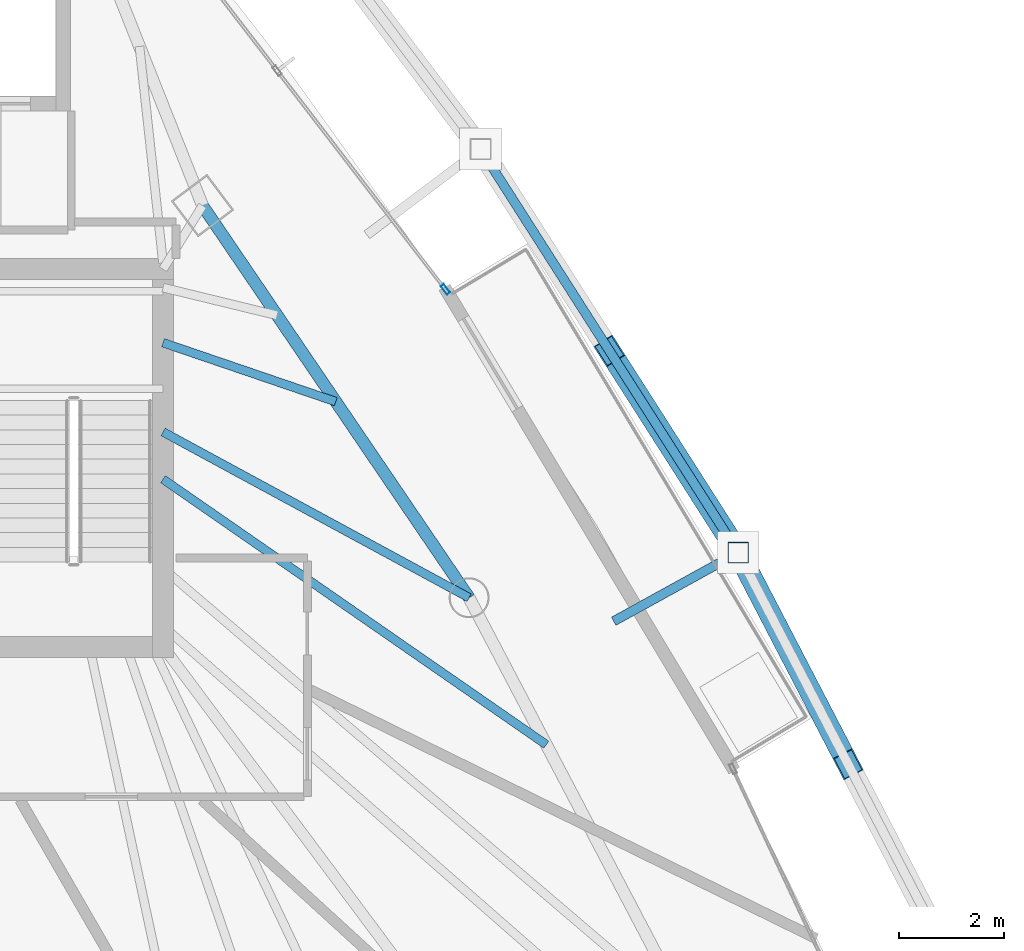
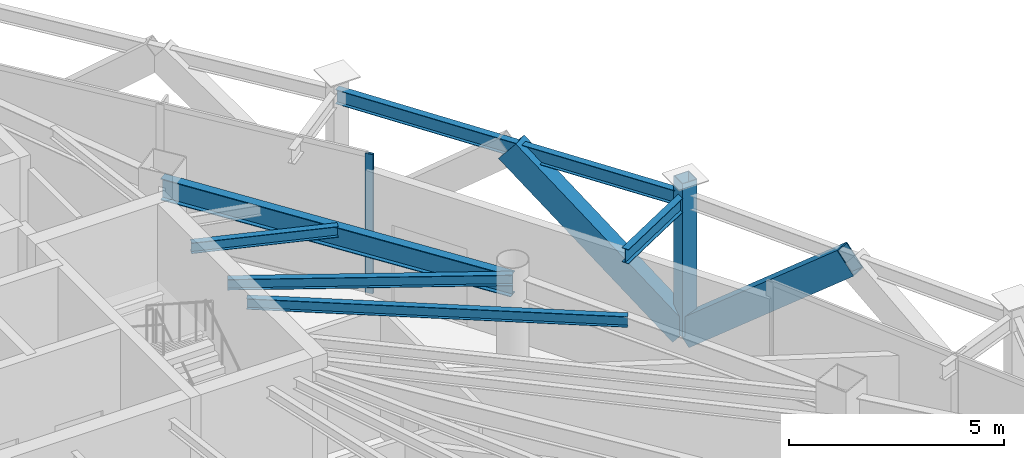
# One storey, part 17 of 27: 6 beams, 4 members, 1 element without a shape of its own.
"""IFC4 building model written with IfcOpenShell, lengths in metres."""

from ifc_helpers import new_model, si_unit, direction, frame, origin, origin_2d, place, context, subcontext, project, spatial, hollow_rectangle, i_section, extrude, material, layer, layer_set, material_profile, profile_set, type_object, element, aggregate, save


model = new_model("IFC4")

# Units and contexts
model_context = context("Model", 3, precision=1e-05, world=origin(), true_north=direction((0.0, 1.0)))
body_context = subcontext(model_context, "Body", "Model", "MODEL_VIEW")
ifc_project = project(units=[si_unit("LENGTHUNIT", "METRE"), si_unit("AREAUNIT", "SQUARE_METRE"), si_unit("VOLUMEUNIT", "CUBIC_METRE"), si_unit("PLANEANGLEUNIT", "RADIAN"), si_unit("MASSUNIT", "GRAM", prefix="KILO")], contexts=[model_context])

# Site, building, storey
site_placement = place(None, origin())
site = spatial("IfcSite", under=ifc_project, at=site_placement, CompositionType="ELEMENT")
building_placement = place(site_placement, origin())
building = spatial("IfcBuilding", under=site, at=building_placement, Name="Orvanel Arch Residences", CompositionType="ELEMENT")
storey_placement = place(building_placement, frame((0.0, 0.0, 186.949951171875)))
storey = spatial("IfcBuildingStorey", under=building, at=storey_placement, Name="L53", CompositionType="ELEMENT", Elevation=186.949951171875)

# Beams
ifc_material_1 = material(Name="Structural steel AS/NZS 3679.1 Grade 300 (300 MPa)", Category="steel")
ifc_material_profile_1 = material_profile(ifc_material_1, i_section(OverallWidth=0.1650390625, OverallDepth=0.303955078125, WebThickness=0.006103515625, FlangeThickness=0.01025390625, at=origin_2d()), Name="310UB40.4")
ifc_profile_set_1 = profile_set([ifc_material_profile_1], Name="Structural steel AS/NZS 3679.1 Grade 300 (300 MPa)")
beam_type_1 = type_object("IfcBeamType", Name="BJ-310UB", PredefinedType="JOIST", material=ifc_profile_set_1)
beam_1_placement = place(storey_placement, frame((39.60009765625, 30.800048828125, 3.798095703125), z_axis=(0.87925534649, -0.476350748576, 0.0), x_axis=(0.476350748576, 0.87925534649, 0.0)))
element("IfcBeam", 1, at=beam_1_placement, inside=storey, type_object=beam_type_1, Name="L53 NE Wing Floor Joist", PredefinedType="JOIST", context=body_context, shape_type="SweptSolid", body=[
    extrude(i_section(OverallWidth=0.1650390625, OverallDepth=0.303955078125, WebThickness=0.006103515625, FlangeThickness=0.01025390625, at=origin_2d()), origin(), (0.0, 0.0, 1.0), 6.631591796875),
])
beam_2_placement = place(storey_placement, frame((39.60009765625, 32.5, 3.798095703125), z_axis=(0.9464126781, -0.322959815969, 0.0), x_axis=(0.322959815969, 0.9464126781, 0.0)))
element("IfcBeam", 2, at=beam_2_placement, inside=storey, type_object=beam_type_1, Name="L53 ENE Wing Floor Joist", PredefinedType="JOIST", context=body_context, shape_type="SweptSolid", body=[
    extrude(i_section(OverallWidth=0.1650390625, OverallDepth=0.303955078125, WebThickness=0.006103515625, FlangeThickness=0.01025390625, at=origin_2d()), origin(), (0.0, 0.0, 1.0), 3.477294921875),
])
beam_3_placement = place(storey_placement, frame((39.60009765625, 29.89990234375, 3.798095703125), z_axis=(0.822002180325, -0.569484341787, 0.0), x_axis=(0.569484341787, 0.822002180325, 0.0)))
element("IfcBeam", 3, at=beam_3_placement, inside=storey, type_object=beam_type_1, Name="L53 CTE Wing Floor Joist", PredefinedType="JOIST", context=body_context, shape_type="SweptSolid", body=[
    extrude(i_section(OverallWidth=0.1650390625, OverallDepth=0.303955078125, WebThickness=0.006103515625, FlangeThickness=0.01025390625, at=origin_2d()), origin(), (0.0, 0.0, 1.0), 8.88330078125),
])

# Members
ifc_material_2 = material(Name="Structural steel AS/NZS 3678 Grade 350", Category="steel")
ifc_material_profile_2 = material_profile(ifc_material_2, hollow_rectangle(XDim=0.419921875, YDim=0.719970703125, WallThickness=0.02490234375, at=origin_2d()), Name="RHS720x420x25")
ifc_profile_set_2 = profile_set([ifc_material_profile_2], Name="Structural steel AS/NZS 3678 Grade 350")
member_type_1 = type_object("IfcMemberType", Name="BR-720RHS-EXT", PredefinedType="BRACE", material=ifc_profile_set_2)
member_1_placement = place(storey_placement, frame((50.55908203125, 28.5009765625, 0.0), z_axis=(0.355422545743, -0.684684864451, 0.636302954865), x_axis=(0.887542143284, 0.460726539169, 0.0)))
element("IfcMember", 4, at=member_1_placement, inside=storey, type_object=member_type_1, Name="L53 Exterior Sky-Garden V-Frame Chevron F3B1.2", PredefinedType="BRACE", context=body_context, shape_type="SweptSolid", body=[
    extrude(hollow_rectangle(XDim=0.419921875, YDim=0.719970703125, WallThickness=0.02490234375, at=origin_2d()), origin(), (0.0, 0.0, 1.0), 5.888916015625),
])
member_2_placement = place(storey_placement, frame((50.55908203125, 28.5009765625, 0.0), z_axis=(-0.415818430044, 0.651153791018, 0.634896663779), x_axis=(-0.842811628095, -0.538208658002, 0.0)))
element("IfcMember", 5, at=member_2_placement, inside=storey, type_object=member_type_1, Name="L53 Exterior Sky-Garden V-Frame Chevron F3B2.1", PredefinedType="BRACE", context=body_context, shape_type="SweptSolid", body=[
    extrude(hollow_rectangle(XDim=0.419921875, YDim=0.719970703125, WallThickness=0.02490234375, at=origin_2d()), origin(), (0.0, 0.0, 1.0), 5.90185546875),
])

# Curtain wall, member
ifc_material_3 = material(Name="Bronze-anodised aluminium AA6063-T6", Category="aluminium")
ifc_layer = layer(ifc_material_3, 0.195068359375)
ifc_layer_set = layer_set([ifc_layer], Name="Bronze-anodised aluminium AA6063-T6")
curtain_wall_type = type_object("IfcCurtainWallType", Name="CW6-COM-SYS", PredefinedType="NOTDEFINED", material=ifc_layer_set)
curtain_wall_placement = place(storey_placement, origin())
curtain_wall = element("IfcCurtainWall", 6, at=curtain_wall_placement, inside=storey, type_object=curtain_wall_type, Name="L53 CW6-COM-SYS Unitised Curtain Wall", PredefinedType="NOTDEFINED")
ifc_material_profile_3 = material_profile(ifc_material_3, hollow_rectangle(XDim=0.074951171875, YDim=0.199951171875, WallThickness=0.0048828125, at=origin_2d()), Name="ALU200x75x5")
ifc_profile_set_3 = profile_set([ifc_material_profile_3], Name="Bronze-anodised aluminium AA6063-T6")
member_type_2 = type_object("IfcMemberType", Name="MUL-200x75", PredefinedType="MULLION", material=ifc_profile_set_3)
member_3_placement = place(storey_placement, frame((44.979248046875, 33.5166015625, 0.0), z_axis=(0.0, 0.0, 1.0), x_axis=(-0.79258417423, -0.60976251669, 0.0)))
member_3 = element("IfcMember", 7, at=member_3_placement, type_object=member_type_2, Name="CW-S6 mullion 1", PredefinedType="MULLION", context=body_context, shape_type="SweptSolid", body=[
    extrude(hollow_rectangle(XDim=0.074951171875, YDim=0.199951171875, WallThickness=0.0048828125, at=origin_2d()), origin(), (0.0, 0.0, 1.0), 3.949951171875),
])
aggregate(curtain_wall, [member_3])

# Beams
ifc_material_profile_4 = material_profile(ifc_material_1, i_section(OverallWidth=0.177978515625, OverallDepth=0.406005859375, WebThickness=0.0078125, FlangeThickness=0.0126953125, at=origin_2d()), Name="410UB59.7")
ifc_profile_set_4 = profile_set([ifc_material_profile_4], Name="Structural steel AS/NZS 3679.1 Grade 300 (300 MPa)")
beam_type_2 = type_object("IfcBeamType", Name="OB-410UB-EXT", PredefinedType="SPANDREL", material=ifc_profile_set_4)
beam_4_placement = place(storey_placement, frame((48.18603515625, 27.193115234375, 3.7470703125), z_axis=(0.875797059566, 0.482679511121, 0.0), x_axis=(-0.482679511121, 0.875797059566, 0.0)))
element("IfcBeam", 8, at=beam_4_placement, inside=storey, type_object=beam_type_2, Name="L53 Outer Frame Radial Tie Beam 10", PredefinedType="SPANDREL", context=body_context, shape_type="SweptSolid", body=[
    extrude(i_section(OverallWidth=0.177978515625, OverallDepth=0.406005859375, WebThickness=0.0078125, FlangeThickness=0.0126953125, at=origin_2d()), origin(), (0.0, 0.0, 1.0), 2.70947265625),
])
beam_5_placement = place(storey_placement, frame((50.55908203125, 28.5009765625, 3.7470703125), z_axis=(-0.538208658002, 0.842811628095, 0.0), x_axis=(-0.842811628095, -0.538208658002, 0.0)))
element("IfcBeam", 9, at=beam_5_placement, inside=storey, type_object=beam_type_2, Name="L53 Outer Perimeter Floor Ring Beam 10", PredefinedType="SPANDREL", context=body_context, shape_type="SweptSolid", body=[
    extrude(i_section(OverallWidth=0.177978515625, OverallDepth=0.406005859375, WebThickness=0.0078125, FlangeThickness=0.0126953125, at=origin_2d()), origin(), (0.0, 0.0, 1.0), 9.11962890625),
])
ifc_material_profile_5 = material_profile(ifc_material_1, i_section(OverallWidth=0.22900390625, OverallDepth=0.612060546875, WebThickness=0.011962890625, FlangeThickness=0.01953125, at=origin_2d()), Name="610UB125")
ifc_profile_set_5 = profile_set([ifc_material_profile_5], Name="Structural steel AS/NZS 3679.1 Grade 300 (300 MPa)")
beam_type_3 = type_object("IfcBeamType", Name="SP-610UB", PredefinedType="SPANDREL", material=ifc_profile_set_5)
beam_6_placement = place(storey_placement, frame((45.430908203125, 27.64111328125, 3.64404296875), z_axis=(-0.562154793153, 0.827032035978, 0.0), x_axis=(-0.827032035978, -0.562154793153, 0.0)))
element("IfcBeam", 10, at=beam_6_placement, inside=storey, type_object=beam_type_3, Name="L53 Perimeter Spandrel Beam 12", PredefinedType="SPANDREL", context=body_context, shape_type="SweptSolid", body=[
    extrude(i_section(OverallWidth=0.22900390625, OverallDepth=0.612060546875, WebThickness=0.011962890625, FlangeThickness=0.01953125, at=origin_2d()), origin(), (0.0, 0.0, 1.0), 9.03466796875),
])

# Member
ifc_material_4 = material(Name="Structural steel AS/NZS 1163 C450L0 (Grade 450)", Category="steel")
ifc_material_profile_6 = material_profile(ifc_material_4, hollow_rectangle(XDim=0.39990234375, YDim=0.39990234375, WallThickness=0.01611328125, at=origin_2d()), Name="SHS400x400x16")
ifc_profile_set_6 = profile_set([ifc_material_profile_6], Name="Structural steel AS/NZS 1163 C450L0 (Grade 450)")
member_type_3 = type_object("IfcMemberType", Name="ST-400SHS-EXT", PredefinedType="STRUT", material=ifc_profile_set_6)
member_4_placement = place(storey_placement, frame((50.55908203125, 28.5009765625, 0.0), z_axis=(0.0, 0.0, 1.0), x_axis=(1.0, 0.0, 0.0)))
element("IfcMember", 11, at=member_4_placement, inside=storey, type_object=member_type_3, Name="L53 Outer Perimeter Frame Post 10", PredefinedType="STRUT", context=body_context, shape_type="SweptSolid", body=[
    extrude(hollow_rectangle(XDim=0.39990234375, YDim=0.39990234375, WallThickness=0.01611328125, at=origin_2d()), origin(), (0.0, 0.0, 1.0), 4.35009765625),
])

save(model, "model.ifc")
